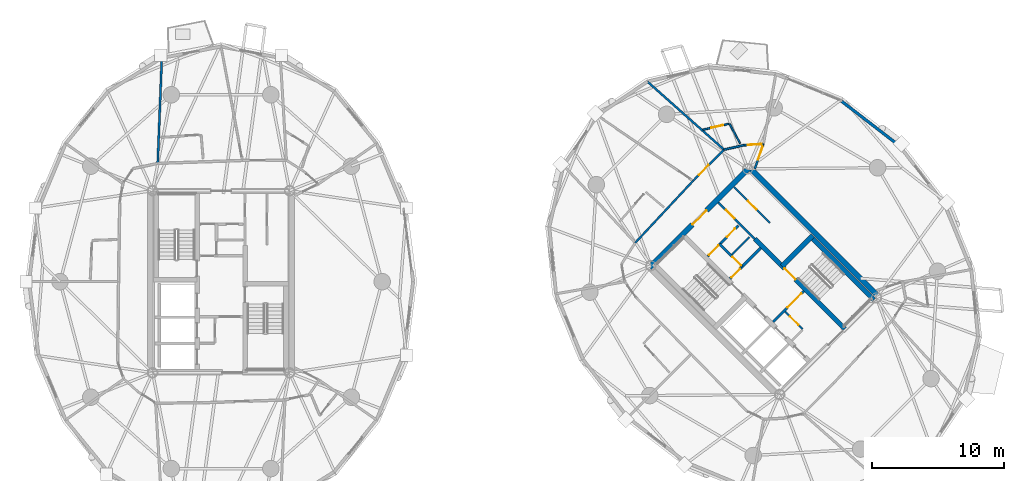
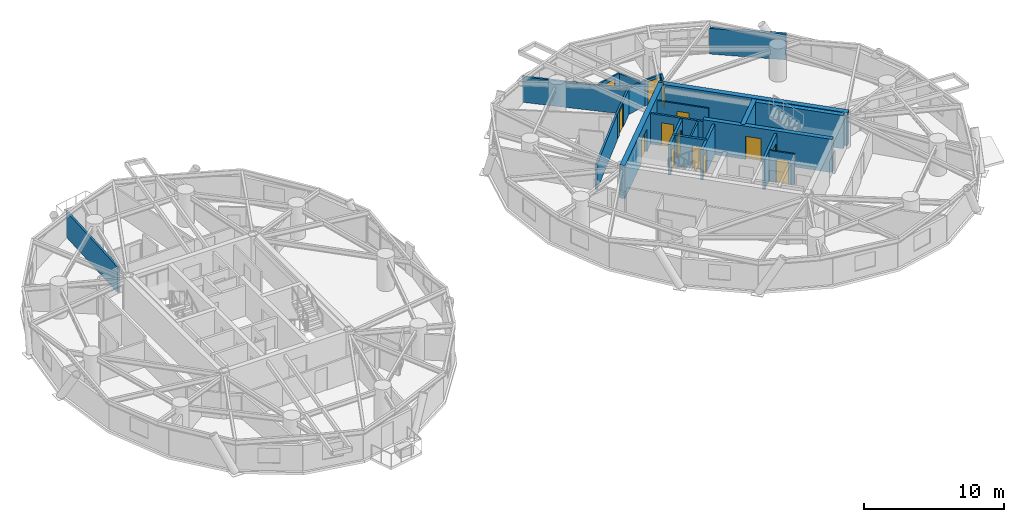
# One storey, part 14 of 19: 23 walls, 14 doors, 14 openings.
"""IFC4 building model written with IfcOpenShell, lengths in metres."""

from ifc_helpers import new_model, si_unit, direction, frame, frame_2d, origin, place, context, subcontext, project, spatial, rectangle, extrude, source, transform, mapped, material, layer, layer_set, type_object, element, fill, save


model = new_model("IFC4")

# Units and contexts
model_context = context("Model", 3, precision=1e-05, world=origin(), true_north=direction((0.0, 1.0)))
body_context = subcontext(model_context, "Body", "Model", "MODEL_VIEW")
ifc_project = project(units=[si_unit("LENGTHUNIT", "METRE"), si_unit("AREAUNIT", "SQUARE_METRE"), si_unit("VOLUMEUNIT", "CUBIC_METRE"), si_unit("PLANEANGLEUNIT", "RADIAN"), si_unit("MASSUNIT", "GRAM", prefix="KILO")], contexts=[model_context])

# Site, building, storey
site_placement = place(None, origin())
site = spatial("IfcSite", under=ifc_project, at=site_placement, CompositionType="ELEMENT")
building_placement = place(site_placement, origin())
building = spatial("IfcBuilding", under=site, at=building_placement, Name="Cununo Teusaquillo Station Towers", CompositionType="ELEMENT")
storey_placement = place(building_placement, frame((0.0, 0.0, 151.60009765625)))
storey = spatial("IfcBuildingStorey", under=building, at=storey_placement, Name="L47", CompositionType="ELEMENT", Elevation=151.60009765625)

# Wall, opening, door
ifc_material_1 = material(Name="Concrete C50/60", Category="concrete")
ifc_layer_1 = layer(ifc_material_1, 0.35009765625)
ifc_layer_set_1 = layer_set([ifc_layer_1], Name="Concrete C50/60")
wall_type_1 = type_object("IfcWallType", Name="WL-CORE-350", PredefinedType="SHEAR", material=ifc_layer_set_1)
wall_1_placement = place(storey_placement, frame((63.627197265625, 20.939697265625, 0.0), z_axis=(0.0, 0.0, 1.0), x_axis=(-0.707119496762, 0.707094065383, 0.0)))
wall_1 = element("IfcWall", 1, at=wall_1_placement, inside=storey, type_object=wall_type_1, Name="L47 Tower B Core Shear Wall IE", PredefinedType="SHEAR", context=body_context, shape_type="SweptSolid", body=[
    extrude(rectangle(XDim=9.60009765625, YDim=0.35009765625, at=frame_2d((4.800048828125, 0.0))), origin(), (0.0, 0.0, 1.0), 2.909912109375),
])
shared_shape_1 = source(origin(), body_context, "Body", "SweptSolid", [
    extrude(rectangle(XDim=1.14990234375, YDim=2.02001953125, at=frame_2d((0.574951171875, 1.010009765625))), frame((0.0, 0.18505859375, 0.0), z_axis=(0.0, -1.0, 0.0), x_axis=(1.0, 0.0, 0.0)), (0.0, 0.0, 1.0), 0.3701171875),
])
opening_1_placement = place(wall_1_placement, frame((5.280029296875, 0.0, 0.0)))
opening_1 = element("IfcOpeningElement", 2, at=opening_1_placement, cuts=wall_1, Name="Opening D-ST1", PredefinedType="OPENING", context=body_context, shape_type="MappedRepresentation", body=[
    mapped(shared_shape_1, transform((0.0, 0.0, 0.0), x_axis=(1.0, 0.0, 0.0), y_axis=(0.0, 1.0, 0.0), z_axis=(0.0, 0.0, 1.0), scale=1.0)),
])
ifc_material_2 = material(Name="Galvanised fire-rated hollow steel door assembly", Category="steel")
door_type_1 = type_object("IfcDoorType", Name="DR-STAIR-1150", OperationType="NOTDEFINED", PredefinedType="DOOR", material=ifc_material_2)
shared_shape_2 = source(origin(), body_context, "Body", "SweptSolid", [
    extrude(rectangle(XDim=1.14990234375, YDim=2.02001953125, at=frame_2d((0.574951171875, 1.010009765625))), frame((0.0, 0.02490234375, 0.0), z_axis=(0.0, -1.0, 0.0), x_axis=(1.0, 0.0, 0.0)), (0.0, 0.0, 1.0), 0.050048828125),
])
door_1_placement = place(opening_1_placement, origin())
door_1 = element("IfcDoor", 3, at=door_1_placement, inside=storey, type_object=door_type_1, Name="L47 Tower B Exit Stair 2 Fire Door", OperationType="SINGLE_SWING_LEFT", OverallHeight=2.02001953125, OverallWidth=1.14990234375, PredefinedType="DOOR", context=body_context, shape_type="MappedRepresentation", body=[
    mapped(shared_shape_2, transform((0.0, 0.0, 0.0), x_axis=(1.0, 0.0, 0.0), y_axis=(0.0, 1.0, 0.0), z_axis=(0.0, 0.0, 1.0), scale=1.0)),
])
fill(opening_1, door_1)

# Walls
wall_2_placement = place(storey_placement, frame((65.81201171875, 23.124755859375, 0.0), z_axis=(0.0, 0.0, 1.0), x_axis=(-0.707106781187, 0.707106781187, 0.0)))
element("IfcWall", 4, at=wall_2_placement, inside=storey, type_object=wall_type_1, Name="L47 Tower B Core Shear Wall ST2E", PredefinedType="SHEAR", context=body_context, shape_type="SweptSolid", body=[
    extrude(rectangle(XDim=6.695068359375, YDim=0.35009765625, at=frame_2d((3.34765625, 0.0))), origin(), (0.0, 0.0, 1.0), 2.909912109375),
])
wall_3_placement = place(storey_placement, frame((58.89306640625, 25.673828125, 0.0), z_axis=(0.0, 0.0, 1.0), x_axis=(0.707106781187, 0.707106781187, 0.0)))
element("IfcWall", 5, at=wall_3_placement, inside=storey, type_object=wall_type_1, Name="L47 Tower B Core Shear Wall ST2N", PredefinedType="SHEAR", context=body_context, shape_type="SweptSolid", body=[
    extrude(rectangle(XDim=3.284912109375, YDim=0.35009765625, at=frame_2d((1.642578125, 0.0))), origin(), (0.0, 0.0, 1.0), 2.909912109375),
])
ifc_material_3 = material(Name="Concrete C50/60", Category="concrete")
ifc_layer_2 = layer(ifc_material_3, 0.39990234375)
ifc_layer_set_2 = layer_set([ifc_layer_2], Name="Concrete C50/60")
wall_type_2 = type_object("IfcWallType", Name="WL-CORE-400", PredefinedType="SHEAR", material=ifc_layer_set_2)
wall_4_placement = place(storey_placement, frame((66.26806640625, 23.2978515625, 0.0), z_axis=(0.0, 0.0, 1.0), x_axis=(-0.707106781187, 0.707106781187, 0.0)))
element("IfcWall", 6, at=wall_4_placement, inside=storey, type_object=wall_type_2, Name="L47 Tower B Core Shear Wall E", PredefinedType="SHEAR", context=body_context, shape_type="SweptSolid", body=[
    extrude(rectangle(XDim=14.10009765625, YDim=0.39990234375, at=frame_2d((7.050048828125, 0.0))), origin(), (0.0, 0.0, 1.0), 2.909912109375),
])

# Wall, opening, door
wall_5_placement = place(storey_placement, frame((48.873291015625, 25.560791015625, 0.0), z_axis=(0.0, 0.0, 1.0), x_axis=(0.707106781187, 0.707106781187, 0.0)))
wall_5 = element("IfcWall", 7, at=wall_5_placement, inside=storey, type_object=wall_type_2, Name="L47 Tower B Core Shear Wall N", PredefinedType="SHEAR", context=body_context, shape_type="SweptSolid", body=[
    extrude(rectangle(XDim=10.69970703125, YDim=0.39990234375, at=frame_2d((5.349853515625, 0.0))), origin(), (0.0, 0.0, 1.0), 2.909912109375),
])
shared_shape_3 = source(origin(), body_context, "Body", "SweptSolid", [
    extrude(rectangle(XDim=1.5, YDim=2.02001953125, at=frame_2d((0.75, 1.010009765625))), frame((0.0, 0.2099609375, 0.0), z_axis=(0.0, -1.0, 0.0), x_axis=(1.0, 0.0, 0.0)), (0.0, 0.0, 1.0), 0.419921875),
])
opening_2_placement = place(wall_5_placement, frame((4.60009765625, 0.0, 0.0)))
opening_2 = element("IfcOpeningElement", 8, at=opening_2_placement, cuts=wall_5, Name="Opening D-LB1", PredefinedType="OPENING", context=body_context, shape_type="MappedRepresentation", body=[
    mapped(shared_shape_3, transform((0.0, 0.0, 0.0), x_axis=(1.0, 0.0, 0.0), y_axis=(0.0, 1.0, 0.0), z_axis=(0.0, 0.0, 1.0), scale=1.0)),
])
ifc_material_4 = material(Name="Galvanised fire-rated hollow steel door assembly", Category="steel")
door_type_2 = type_object("IfcDoorType", Name="DR-LOBBY-1500", OperationType="DOUBLE_DOOR_SINGLE_SWING", PredefinedType="DOOR", material=ifc_material_4)
shared_shape_4 = source(origin(), body_context, "Body", "SweptSolid", [
    extrude(rectangle(XDim=1.5, YDim=2.02001953125, at=frame_2d((0.75, 1.010009765625))), frame((0.0, 0.02490234375, 0.0), z_axis=(0.0, -1.0, 0.0), x_axis=(1.0, 0.0, 0.0)), (0.0, 0.0, 1.0), 0.050048828125),
])
door_2_placement = place(opening_2_placement, origin())
door_2 = element("IfcDoor", 9, at=door_2_placement, inside=storey, type_object=door_type_2, Name="L47 Tower B North Core Lift Lobby Door", OperationType="DOUBLE_DOOR_SINGLE_SWING", OverallHeight=2.02001953125, OverallWidth=1.5, PredefinedType="DOOR", context=body_context, shape_type="MappedRepresentation", body=[
    mapped(shared_shape_4, transform((0.0, 0.0, 0.0), x_axis=(1.0, 0.0, 0.0), y_axis=(0.0, 1.0, 0.0), z_axis=(0.0, 0.0, 1.0), scale=1.0)),
])
fill(opening_2, door_2)

# Wall
ifc_material_5 = material(Name="Precast concrete C40/50", Category="concrete")
ifc_layer_3 = layer(ifc_material_5, 0.219970703125)
ifc_layer_set_3 = layer_set([ifc_layer_3], Name="Precast concrete C40/50")
wall_type_3 = type_object("IfcWallType", Name="WL-EXT-220", PredefinedType="SOLIDWALL", material=ifc_layer_set_3)
wall_6_placement = place(storey_placement, frame((63.37841796875, 38.144287109375, 0.0), z_axis=(0.0, 0.0, 1.0), x_axis=(0.791982658323, -0.610543584779, 0.0)))
element("IfcWall", 10, at=wall_6_placement, inside=storey, type_object=wall_type_3, Name="L47 Tower B Exterior Facade Wall C00", PredefinedType="SOLIDWALL", context=body_context, shape_type="SweptSolid", body=[
    extrude(rectangle(XDim=5.537109375, YDim=0.219970703125, at=frame_2d((2.7685546875, 0.0))), origin(), (0.0, 0.0, 1.0), 2.244873046875),
])

# Wall, opening, door
ifc_material_6 = material(Name="Fire-rated gypsum plasterboard partition assembly", Category="gypsum")
ifc_layer_4 = layer(ifc_material_6, 0.125)
ifc_layer_set_4 = layer_set([ifc_layer_4], Name="Fire-rated gypsum plasterboard partition assembly")
wall_type_4 = type_object("IfcWallType", Name="WL-PART-125", PredefinedType="PARTITIONING", material=ifc_layer_set_4)
wall_7_placement = place(storey_placement, frame((60.448486328125, 20.9150390625, 0.0), z_axis=(0.0, 0.0, 1.0), x_axis=(-0.707106781187, 0.707106781187, 0.0)))
wall_7 = element("IfcWall", 11, at=wall_7_placement, inside=storey, type_object=wall_type_4, Name="L47 Tower B North-West Lobby Store East Wall", PredefinedType="PARTITIONING", context=body_context, shape_type="SweptSolid", body=[
    extrude(rectangle(XDim=1.869873046875, YDim=0.125, at=frame_2d((0.93505859375, 0.0))), origin(), (0.0, 0.0, 1.0), 2.6748046875),
])
shared_shape_5 = source(origin(), body_context, "Body", "SweptSolid", [
    extrude(rectangle(XDim=0.89990234375, YDim=2.0048828125, at=frame_2d((0.449951171875, 1.00244140625))), frame((0.0, 0.072509765625, 0.0), z_axis=(0.0, -1.0, 0.0), x_axis=(1.0, 0.0, 0.0)), (0.0, 0.0, 1.0), 0.14501953125),
])
opening_3_placement = place(wall_7_placement, frame((0.449951171875, 0.0, 0.0)))
opening_3 = element("IfcOpeningElement", 12, at=opening_3_placement, cuts=wall_7, Name="Opening D-SR1", PredefinedType="OPENING", context=body_context, shape_type="MappedRepresentation", body=[
    mapped(shared_shape_5, transform((0.0, 0.0, 0.0), x_axis=(1.0, 0.0, 0.0), y_axis=(0.0, 1.0, 0.0), z_axis=(0.0, 0.0, 1.0), scale=1.0)),
])
ifc_material_7 = material(Name="Galvanised fire-rated hollow steel door assembly", Category="steel")
door_type_3 = type_object("IfcDoorType", Name="DR-STORE-900", OperationType="NOTDEFINED", PredefinedType="DOOR", material=ifc_material_7)
shared_shape_6 = source(origin(), body_context, "Body", "SweptSolid", [
    extrude(rectangle(XDim=0.89990234375, YDim=2.0048828125, at=frame_2d((0.449951171875, 1.00244140625))), frame((0.0, 0.02490234375, 0.0), z_axis=(0.0, -1.0, 0.0), x_axis=(1.0, 0.0, 0.0)), (0.0, 0.0, 1.0), 0.050048828125),
])
door_3_placement = place(opening_3_placement, origin())
door_3 = element("IfcDoor", 13, at=door_3_placement, inside=storey, type_object=door_type_3, Name="L47 Tower B South Lobby Data Store Door", OperationType="SINGLE_SWING_RIGHT", OverallHeight=2.0048828125, OverallWidth=0.89990234375, PredefinedType="DOOR", context=body_context, shape_type="MappedRepresentation", body=[
    mapped(shared_shape_6, transform((0.0, 0.0, 0.0), x_axis=(1.0, 0.0, 0.0), y_axis=(0.0, 1.0, 0.0), z_axis=(0.0, 0.0, 1.0), scale=1.0)),
])
fill(opening_3, door_3)

# Wall
wall_8_placement = place(storey_placement, frame((55.0888671875, 26.54345703125, 0.0), z_axis=(0.0, 0.0, 1.0), x_axis=(0.707106781187, 0.707106781187, 0.0)))
element("IfcWall", 14, at=wall_8_placement, inside=storey, type_object=wall_type_4, Name="L47 Tower B Core Horizontal Split Wall", PredefinedType="PARTITIONING", context=body_context, shape_type="SweptSolid", body=[
    extrude(rectangle(XDim=1.8798828125, YDim=0.125, at=frame_2d((0.93994140625, 0.0))), origin(), (0.0, 0.0, 1.0), 2.6748046875),
])

# Wall, opening, door
wall_9_placement = place(storey_placement, frame((57.980712890625, 28.940673828125, 0.0), z_axis=(0.0, 0.0, 1.0), x_axis=(-0.707074823725, 0.707138737204, 0.0)))
wall_9 = element("IfcWall", 15, at=wall_9_placement, inside=storey, type_object=wall_type_4, Name="L47 Tower B Reclaimed Bay Vertical Split Wall", PredefinedType="PARTITIONING", context=body_context, shape_type="SweptSolid", body=[
    extrude(rectangle(XDim=3.81982421875, YDim=0.125, at=frame_2d((1.909912109375, 0.0))), origin(), (0.0, 0.0, 1.0), 2.6748046875),
])
opening_4_placement = place(wall_9_placement, frame((1.449951171875, 0.0, 0.0)))
opening_4 = element("IfcOpeningElement", 16, at=opening_4_placement, cuts=wall_9, Name="Opening D-IN1", PredefinedType="OPENING", context=body_context, shape_type="MappedRepresentation", body=[
    mapped(shared_shape_5, transform((0.0, 0.0, 0.0), x_axis=(1.0, 0.0, 0.0), y_axis=(0.0, 1.0, 0.0), z_axis=(0.0, 0.0, 1.0), scale=1.0)),
])
ifc_material_8 = material(Name="Acoustic solid-core hardwood leaf assembly", Category="wood")
door_type_4 = type_object("IfcDoorType", Name="DR-INT-900", OperationType="NOTDEFINED", PredefinedType="DOOR", material=ifc_material_8)
door_4_placement = place(opening_4_placement, origin())
door_4 = element("IfcDoor", 17, at=door_4_placement, inside=storey, type_object=door_type_4, Name="L47 Tower B Reclaimed Acoustic Booth Door", OperationType="SINGLE_SWING_RIGHT", OverallHeight=2.0048828125, OverallWidth=0.89990234375, PredefinedType="DOOR", context=body_context, shape_type="MappedRepresentation", body=[
    mapped(shared_shape_6, transform((0.0, 0.0, 0.0), x_axis=(1.0, 0.0, 0.0), y_axis=(0.0, 1.0, 0.0), z_axis=(0.0, 0.0, 1.0), scale=1.0)),
])
fill(opening_4, door_4)

# Wall
wall_10_placement = place(storey_placement, frame((55.722412109375, 34.94384765625, 0.0), z_axis=(0.0, 0.0, 1.0), x_axis=(-0.473482169178, 0.880803403417, 0.0)))
element("IfcWall", 18, at=wall_10_placement, inside=storey, type_object=wall_type_4, Name="L47 Tower B S01 En-suite Side Wall", PredefinedType="PARTITIONING", context=body_context, shape_type="SweptSolid", body=[
    extrude(rectangle(XDim=1.697509765625, YDim=0.125, at=frame_2d((0.8486328125, 0.0))), origin(), (0.0, 0.0, 1.0), 2.244873046875),
])

# Wall, opening, door
wall_11_placement = place(storey_placement, frame((54.85791015625, 36.425048828125, 0.0), z_axis=(0.0, 0.0, 1.0), x_axis=(-0.975061820415, -0.221933427785, 0.0)))
wall_11 = element("IfcWall", 19, at=wall_11_placement, inside=storey, type_object=wall_type_4, Name="L47 Tower B S01 En-suite Back Wall", PredefinedType="PARTITIONING", context=body_context, shape_type="SweptSolid", body=[
    extrude(rectangle(XDim=1.993408203125, YDim=0.125, at=frame_2d((0.99658203125, 0.0))), origin(), (0.0, 0.0, 1.0), 2.31201171875),
])
opening_5_placement = place(wall_11_placement, frame((0.43994140625, 0.0, 0.0)))
opening_5 = element("IfcOpeningElement", 20, at=opening_5_placement, cuts=wall_11, Name="Opening D-IN1", PredefinedType="OPENING", context=body_context, shape_type="MappedRepresentation", body=[
    mapped(shared_shape_5, transform((0.0, 0.0, 0.0), x_axis=(1.0, 0.0, 0.0), y_axis=(0.0, 1.0, 0.0), z_axis=(0.0, 0.0, 1.0), scale=1.0)),
])
door_5_placement = place(opening_5_placement, origin())
door_5 = element("IfcDoor", 21, at=door_5_placement, inside=storey, type_object=door_type_4, Name="L47 Tower B S01 En-suite Bathroom Door", OperationType="SINGLE_SWING_RIGHT", OverallHeight=2.0048828125, OverallWidth=0.89990234375, PredefinedType="DOOR", context=body_context, shape_type="MappedRepresentation", body=[
    mapped(shared_shape_6, transform((0.0, 0.0, 0.0), x_axis=(1.0, 0.0, 0.0), y_axis=(0.0, 1.0, 0.0), z_axis=(0.0, 0.0, 1.0), scale=1.0)),
])
fill(opening_5, door_5)

ifc_material_9 = material(Name="Fire-rated gypsum plasterboard partition assembly", Category="gypsum")
ifc_layer_5 = layer(ifc_material_9, 0.14990234375)
ifc_layer_set_5 = layer_set([ifc_layer_5], Name="Fire-rated gypsum plasterboard partition assembly")
wall_type_5 = type_object("IfcWallType", Name="WL-PART-150", PredefinedType="PARTITIONING", material=ifc_layer_set_5)
wall_12_placement = place(storey_placement, frame((57.48193359375, 34.899169921875, 0.0), z_axis=(0.0, 0.0, 1.0), x_axis=(-0.998466026722, -0.055367801852, 0.0)))
wall_12 = element("IfcWall", 22, at=wall_12_placement, inside=storey, type_object=wall_type_5, Name="L47 Tower B Corridor Ring Wall C02", PredefinedType="PARTITIONING", context=body_context, shape_type="SweptSolid", body=[
    extrude(rectangle(XDim=1.455078125, YDim=0.14990234375, at=frame_2d((0.7275390625, 0.0))), origin(), (0.0, 0.0, 1.0), 2.244873046875),
])
shared_shape_7 = source(origin(), body_context, "Body", "SweptSolid", [
    extrude(rectangle(XDim=1.050048828125, YDim=2.014892578125, at=frame_2d((0.52490234375, 1.00732421875))), frame((0.0, 0.0849609375, 0.0), z_axis=(0.0, -1.0, 0.0), x_axis=(1.0, 0.0, 0.0)), (0.0, 0.0, 1.0), 0.169921875),
])
opening_6_placement = place(wall_12_placement, frame((0.1201171875, 0.0, 0.0)))
opening_6 = element("IfcOpeningElement", 23, at=opening_6_placement, cuts=wall_12, Name="Opening D-SU1", PredefinedType="OPENING", context=body_context, shape_type="MappedRepresentation", body=[
    mapped(shared_shape_7, transform((0.0, 0.0, 0.0), x_axis=(1.0, 0.0, 0.0), y_axis=(0.0, 1.0, 0.0), z_axis=(0.0, 0.0, 1.0), scale=1.0)),
])
ifc_material_10 = material(Name="Acoustic solid-core hardwood leaf assembly", Category="wood")
door_type_5 = type_object("IfcDoorType", Name="DR-SUITE-1050", OperationType="NOTDEFINED", PredefinedType="DOOR", material=ifc_material_10)
shared_shape_8 = source(origin(), body_context, "Body", "SweptSolid", [
    extrude(rectangle(XDim=1.050048828125, YDim=2.014892578125, at=frame_2d((0.52490234375, 1.00732421875))), frame((0.0, 0.02490234375, 0.0), z_axis=(0.0, -1.0, 0.0), x_axis=(1.0, 0.0, 0.0)), (0.0, 0.0, 1.0), 0.050048828125),
])
door_6_placement = place(opening_6_placement, origin())
door_6 = element("IfcDoor", 24, at=door_6_placement, inside=storey, type_object=door_type_5, Name="L47 Tower B Grand Panorama Hotel Suite Entrance Door", OperationType="SINGLE_SWING_LEFT", OverallHeight=2.014892578125, OverallWidth=1.050048828125, PredefinedType="DOOR", context=body_context, shape_type="MappedRepresentation", body=[
    mapped(shared_shape_8, transform((0.0, 0.0, 0.0), x_axis=(1.0, 0.0, 0.0), y_axis=(0.0, 1.0, 0.0), z_axis=(0.0, 0.0, 1.0), scale=1.0)),
])
fill(opening_6, door_6)

# Wall
wall_13_placement = place(storey_placement, frame((56.029052734375, 34.818603515625, 0.0), z_axis=(0.0, 0.0, 1.0), x_axis=(-0.976117289068, -0.217244189754, 0.0)))
element("IfcWall", 25, at=wall_13_placement, inside=storey, type_object=wall_type_5, Name="L47 Tower B Corridor Ring Wall C03", PredefinedType="PARTITIONING", context=body_context, shape_type="SweptSolid", body=[
    extrude(rectangle(XDim=1.5654296875, YDim=0.14990234375, at=frame_2d((0.78271484375, 0.0))), origin(), (0.0, 0.0, 1.0), 2.244873046875),
])

# Wall, opening, door
wall_14_placement = place(storey_placement, frame((54.5009765625, 34.478515625, 0.0), z_axis=(0.0, 0.0, 1.0), x_axis=(-0.70346073929, -0.710734119258, 0.0)))
wall_14 = element("IfcWall", 26, at=wall_14_placement, inside=storey, type_object=wall_type_5, Name="L47 Tower B Corridor Ring Wall C04", PredefinedType="PARTITIONING", context=body_context, shape_type="SweptSolid", body=[
    extrude(rectangle(XDim=3.322998046875, YDim=0.14990234375, at=frame_2d((1.66162109375, 0.0))), origin(), (0.0, 0.0, 1.0), 2.244873046875),
])
opening_7_placement = place(wall_14_placement, frame((1.644775390625, 0.0, 0.0)))
opening_7 = element("IfcOpeningElement", 27, at=opening_7_placement, cuts=wall_14, Name="Opening D-SU1", PredefinedType="OPENING", context=body_context, shape_type="MappedRepresentation", body=[
    mapped(shared_shape_7, transform((0.0, 0.0, 0.0), x_axis=(1.0, 0.0, 0.0), y_axis=(0.0, 1.0, 0.0), z_axis=(0.0, 0.0, 1.0), scale=1.0)),
])
door_7_placement = place(opening_7_placement, origin())
door_7 = element("IfcDoor", 28, at=door_7_placement, inside=storey, type_object=door_type_5, Name="L47 Tower B Cloud-Forest Hotel Suite Entrance Door", OperationType="SINGLE_SWING_LEFT", OverallHeight=2.014892578125, OverallWidth=1.050048828125, PredefinedType="DOOR", context=body_context, shape_type="MappedRepresentation", body=[
    mapped(shared_shape_8, transform((0.0, 0.0, 0.0), x_axis=(1.0, 0.0, 0.0), y_axis=(0.0, 1.0, 0.0), z_axis=(0.0, 0.0, 1.0), scale=1.0)),
])
fill(opening_7, door_7)

# Walls
wall_15_placement = place(storey_placement, frame((52.163330078125, 32.11669921875, 0.0), z_axis=(0.0, 0.0, 1.0), x_axis=(-0.682485296115, -0.730899323154, 0.0)))
element("IfcWall", 29, at=wall_15_placement, inside=storey, type_object=wall_type_5, Name="L47 Tower B Corridor Ring Wall C05", PredefinedType="PARTITIONING", context=body_context, shape_type="SweptSolid", body=[
    extrude(rectangle(XDim=6.404296875, YDim=0.14990234375, at=frame_2d((3.2021484375, 0.0))), origin(), (0.0, 0.0, 1.0), 2.244873046875),
])
ifc_material_11 = material(Name="Fire-rated gypsum plasterboard partition assembly", Category="gypsum")
ifc_layer_6 = layer(ifc_material_11, 0.159912109375)
ifc_layer_set_6 = layer_set([ifc_layer_6], Name="Fire-rated gypsum plasterboard partition assembly")
wall_type_6 = type_object("IfcWallType", Name="WL-PART-160", PredefinedType="PARTITIONING", material=ifc_layer_set_6)
wall_16_placement = place(storey_placement, frame((11.711669921875, 33.440185546875, 0.0), z_axis=(0.0, 0.0, 1.0), x_axis=(0.038892064024, 0.999243417469, 0.0)))
element("IfcWall", 30, at=wall_16_placement, inside=storey, type_object=wall_type_6, Name="L47 Tower A Radial Suite Partition R03", PredefinedType="PARTITIONING", context=body_context, shape_type="SweptSolid", body=[
    extrude(rectangle(XDim=7.947265625, YDim=0.159912109375, at=frame_2d((3.9736328125, 0.0))), origin(), (0.0, 0.0, 1.0), 2.244873046875),
])

# Wall, opening, door
wall_17_placement = place(storey_placement, frame((56.8388671875, 27.727783203125, 0.0), z_axis=(0.0, 0.0, 1.0), x_axis=(-0.707106781187, 0.707106781187, 0.0)))
wall_17 = element("IfcWall", 31, at=wall_17_placement, inside=storey, type_object=wall_type_6, Name="L47 Tower B Reclaimed Core Bay Entry Wall", PredefinedType="PARTITIONING", context=body_context, shape_type="SweptSolid", body=[
    extrude(rectangle(XDim=3.900146484375, YDim=0.159912109375, at=frame_2d((1.9501953125, 0.0))), origin(), (0.0, 0.0, 1.0), 2.6748046875),
])
shared_shape_9 = source(origin(), body_context, "Body", "SweptSolid", [
    extrude(rectangle(XDim=0.89990234375, YDim=2.0048828125, at=frame_2d((0.449951171875, 1.00244140625))), frame((0.0, 0.08984375, 0.0), z_axis=(0.0, -1.0, 0.0), x_axis=(1.0, 0.0, 0.0)), (0.0, 0.0, 1.0), 0.179931640625),
])
opening_8_placement = place(wall_17_placement, frame((2.199951171875, 0.0, 0.0)))
opening_8 = element("IfcOpeningElement", 32, at=opening_8_placement, cuts=wall_17, Name="Opening D-IN1", PredefinedType="OPENING", context=body_context, shape_type="MappedRepresentation", body=[
    mapped(shared_shape_9, transform((0.0, 0.0, 0.0), x_axis=(1.0, 0.0, 0.0), y_axis=(0.0, 1.0, 0.0), z_axis=(0.0, 0.0, 1.0), scale=1.0)),
])
door_8_placement = place(opening_8_placement, origin())
door_8 = element("IfcDoor", 33, at=door_8_placement, inside=storey, type_object=door_type_4, Name="L47 Tower B Reclaimed Meeting Room Door", OperationType="SINGLE_SWING_LEFT", OverallHeight=2.0048828125, OverallWidth=0.89990234375, PredefinedType="DOOR", context=body_context, shape_type="MappedRepresentation", body=[
    mapped(shared_shape_6, transform((0.0, 0.0, 0.0), x_axis=(1.0, 0.0, 0.0), y_axis=(0.0, 1.0, 0.0), z_axis=(0.0, 0.0, 1.0), scale=1.0)),
])
fill(opening_8, door_8)

# Wall
wall_18_placement = place(storey_placement, frame((54.5009765625, 34.478515625, 0.0), z_axis=(0.0, 0.0, 1.0), x_axis=(-0.747641382601, 0.66410267506, 0.0)))
element("IfcWall", 34, at=wall_18_placement, inside=storey, type_object=wall_type_6, Name="L47 Tower B Radial Suite Partition R02", PredefinedType="PARTITIONING", context=body_context, shape_type="SweptSolid", body=[
    extrude(rectangle(XDim=7.71826171875, YDim=0.159912109375, at=frame_2d((3.859130859375, 0.0))), origin(), (0.0, 0.0, 1.0), 2.244873046875),
])

# Wall, opening, door
wall_19_placement = place(storey_placement, frame((56.828125, 33.0205078125, 0.0), z_axis=(0.0, 0.0, 1.0), x_axis=(0.328682472103, 0.944440486496, 0.0)))
wall_19 = element("IfcWall", 35, at=wall_19_placement, inside=storey, type_object=wall_type_6, Name="L47 Tower B East Salon Corridor Portal Wall NE", PredefinedType="PARTITIONING", context=body_context, shape_type="SweptSolid", body=[
    extrude(rectangle(XDim=1.9892578125, YDim=0.159912109375, at=frame_2d((0.99462890625, 0.0))), origin(), (0.0, 0.0, 1.0), 2.244873046875),
])
shared_shape_10 = source(origin(), body_context, "Body", "SweptSolid", [
    extrude(rectangle(XDim=1.050048828125, YDim=2.014892578125, at=frame_2d((0.52490234375, 1.00732421875))), frame((0.0, 0.08984375, 0.0), z_axis=(0.0, -1.0, 0.0), x_axis=(1.0, 0.0, 0.0)), (0.0, 0.0, 1.0), 0.179931640625),
])
opening_9_placement = place(wall_19_placement, frame((0.739013671875, 0.0, 0.0)))
opening_9 = element("IfcOpeningElement", 36, at=opening_9_placement, cuts=wall_19, Name="Opening D-SU1", PredefinedType="OPENING", context=body_context, shape_type="MappedRepresentation", body=[
    mapped(shared_shape_10, transform((0.0, 0.0, 0.0), x_axis=(1.0, 0.0, 0.0), y_axis=(0.0, 1.0, 0.0), z_axis=(0.0, 0.0, 1.0), scale=1.0)),
])
door_9_placement = place(opening_9_placement, origin())
door_9 = element("IfcDoor", 37, at=door_9_placement, inside=storey, type_object=door_type_5, Name="L47 Tower B East Panorama Sky Salon Door NE", OperationType="SINGLE_SWING_LEFT", OverallHeight=2.014892578125, OverallWidth=1.050048828125, PredefinedType="DOOR", context=body_context, shape_type="MappedRepresentation", body=[
    mapped(shared_shape_8, transform((0.0, 0.0, 0.0), x_axis=(1.0, 0.0, 0.0), y_axis=(0.0, 1.0, 0.0), z_axis=(0.0, 0.0, 1.0), scale=1.0)),
])
fill(opening_9, door_9)

ifc_material_12 = material(Name="Fire-rated gypsum plasterboard partition assembly", Category="gypsum")
ifc_layer_7 = layer(ifc_material_12, 0.199951171875)
ifc_layer_set_7 = layer_set([ifc_layer_7], Name="Fire-rated gypsum plasterboard partition assembly")
wall_type_7 = type_object("IfcWallType", Name="WL-PART-200", PredefinedType="PARTITIONING", material=ifc_layer_set_7)
wall_20_placement = place(storey_placement, frame((58.214111328125, 21.466552734375, 0.0), z_axis=(0.0, 0.0, 1.0), x_axis=(0.707106781187, 0.707106781187, 0.0)))
wall_20 = element("IfcWall", 38, at=wall_20_placement, inside=storey, type_object=wall_type_7, Name="L47 Tower B Firefighting Lift Lobby South Fire Wall", PredefinedType="PARTITIONING", context=body_context, shape_type="SweptSolid", body=[
    extrude(rectangle(XDim=3.280029296875, YDim=0.199951171875, at=frame_2d((1.64013671875, 0.0))), origin(), (0.0, 0.0, 1.0), 2.6748046875),
])
shared_shape_11 = source(origin(), body_context, "Body", "SweptSolid", [
    extrude(rectangle(XDim=1.5, YDim=2.02001953125, at=frame_2d((0.75, 1.010009765625))), frame((0.0, 0.10986328125, 0.0), z_axis=(0.0, -1.0, 0.0), x_axis=(1.0, 0.0, 0.0)), (0.0, 0.0, 1.0), 0.219970703125),
])
opening_10_placement = place(wall_20_placement, frame((1.550048828125, 0.0, 0.0)))
opening_10 = element("IfcOpeningElement", 39, at=opening_10_placement, cuts=wall_20, Name="Opening D-LB1", PredefinedType="OPENING", context=body_context, shape_type="MappedRepresentation", body=[
    mapped(shared_shape_11, transform((0.0, 0.0, 0.0), x_axis=(1.0, 0.0, 0.0), y_axis=(0.0, 1.0, 0.0), z_axis=(0.0, 0.0, 1.0), scale=1.0)),
])
door_10_placement = place(opening_10_placement, origin())
door_10 = element("IfcDoor", 40, at=door_10_placement, inside=storey, type_object=door_type_2, Name="L47 Tower B Firefighting Lift Lobby South Fire Door", OperationType="DOUBLE_DOOR_SINGLE_SWING", OverallHeight=2.02001953125, OverallWidth=1.5, PredefinedType="DOOR", context=body_context, shape_type="MappedRepresentation", body=[
    mapped(shared_shape_4, transform((0.0, 0.0, 0.0), x_axis=(1.0, 0.0, 0.0), y_axis=(0.0, 1.0, 0.0), z_axis=(0.0, 0.0, 1.0), scale=1.0)),
])
fill(opening_10, door_10)

wall_21_placement = place(storey_placement, frame((54.96142578125, 24.71923828125, 0.0), z_axis=(0.0, 0.0, 1.0), x_axis=(0.707106781187, 0.707106781187, 0.0)))
wall_21 = element("IfcWall", 41, at=wall_21_placement, inside=storey, type_object=wall_type_7, Name="L47 Tower B Firefighting Lift Lobby North Fire Wall", PredefinedType="PARTITIONING", context=body_context, shape_type="SweptSolid", body=[
    extrude(rectangle(XDim=3.280029296875, YDim=0.199951171875, at=frame_2d((1.64013671875, 0.0))), origin(), (0.0, 0.0, 1.0), 2.6748046875),
])
shared_shape_12 = source(origin(), body_context, "Body", "SweptSolid", [
    extrude(rectangle(XDim=0.89990234375, YDim=2.0048828125, at=frame_2d((0.449951171875, 1.00244140625))), frame((0.0, 0.10986328125, 0.0), z_axis=(0.0, -1.0, 0.0), x_axis=(1.0, 0.0, 0.0)), (0.0, 0.0, 1.0), 0.219970703125),
])
opening_11_placement = place(wall_21_placement, frame((0.159912109375, 0.0, 0.0)))
opening_11 = element("IfcOpeningElement", 42, at=opening_11_placement, cuts=wall_21, Name="Opening D-SR1", PredefinedType="OPENING", context=body_context, shape_type="MappedRepresentation", body=[
    mapped(shared_shape_12, transform((0.0, 0.0, 0.0), x_axis=(1.0, 0.0, 0.0), y_axis=(0.0, 1.0, 0.0), z_axis=(0.0, 0.0, 1.0), scale=1.0)),
])
door_11_placement = place(opening_11_placement, origin())
door_11 = element("IfcDoor", 43, at=door_11_placement, inside=storey, type_object=door_type_3, Name="L47 Tower B Stair 1 Protected Vestibule South Door", OperationType="SINGLE_SWING_RIGHT", OverallHeight=2.0048828125, OverallWidth=0.89990234375, PredefinedType="DOOR", context=body_context, shape_type="MappedRepresentation", body=[
    mapped(shared_shape_6, transform((0.0, 0.0, 0.0), x_axis=(1.0, 0.0, 0.0), y_axis=(0.0, 1.0, 0.0), z_axis=(0.0, 0.0, 1.0), scale=1.0)),
])
fill(opening_11, door_11)

wall_22_placement = place(storey_placement, frame((55.873779296875, 25.63134765625, 0.0), z_axis=(0.0, 0.0, 1.0), x_axis=(-0.707157639372, 0.707055919343, 0.0)))
wall_22 = element("IfcWall", 44, at=wall_22_placement, inside=storey, type_object=wall_type_7, Name="L47 Tower B Stair 1 Vestibule Partition Wall", PredefinedType="PARTITIONING", context=body_context, shape_type="SweptSolid", body=[
    extrude(rectangle(XDim=2.400146484375, YDim=0.199951171875, at=frame_2d((1.2001953125, 0.0))), origin(), (0.0, 0.0, 1.0), 2.6748046875),
])
opening_12_placement = place(wall_22_placement, frame((0.139892578125, 0.0, 0.0)))
opening_12 = element("IfcOpeningElement", 45, at=opening_12_placement, cuts=wall_22, Name="Opening D-SR1", PredefinedType="OPENING", context=body_context, shape_type="MappedRepresentation", body=[
    mapped(shared_shape_12, transform((0.0, 0.0, 0.0), x_axis=(1.0, 0.0, 0.0), y_axis=(0.0, 1.0, 0.0), z_axis=(0.0, 0.0, 1.0), scale=1.0)),
])
door_12_placement = place(opening_12_placement, origin())
door_12 = element("IfcDoor", 46, at=door_12_placement, inside=storey, type_object=door_type_3, Name="L47 Tower B Core Linen Store Door", OperationType="SINGLE_SWING_LEFT", OverallHeight=2.0048828125, OverallWidth=0.89990234375, PredefinedType="DOOR", context=body_context, shape_type="MappedRepresentation", body=[
    mapped(shared_shape_6, transform((0.0, 0.0, 0.0), x_axis=(1.0, 0.0, 0.0), y_axis=(0.0, 1.0, 0.0), z_axis=(0.0, 0.0, 1.0), scale=1.0)),
])
fill(opening_12, door_12)

# Wall, openings, doors
wall_23_placement = place(storey_placement, frame((53.264404296875, 26.416259765625, 0.0), z_axis=(0.0, 0.0, 1.0), x_axis=(0.707106781187, 0.707106781187, 0.0)))
wall_23 = element("IfcWall", 47, at=wall_23_placement, inside=storey, type_object=wall_type_7, Name="L47 Tower B North Lift Lobby South Fire Wall", PredefinedType="PARTITIONING", context=body_context, shape_type="SweptSolid", body=[
    extrude(rectangle(XDim=3.280029296875, YDim=0.199951171875, at=frame_2d((1.64013671875, 0.0))), origin(), (0.0, 0.0, 1.0), 2.6748046875),
])
shared_shape_13 = source(origin(), body_context, "Body", "SweptSolid", [
    extrude(rectangle(XDim=1.0, YDim=2.014892578125, at=frame_2d((0.5, 1.00732421875))), frame((0.0, 0.10986328125, 0.0), z_axis=(0.0, -1.0, 0.0), x_axis=(1.0, 0.0, 0.0)), (0.0, 0.0, 1.0), 0.219970703125),
])
opening_13_placement = place(wall_23_placement, frame((0.139892578125, 0.0, 0.0)))
opening_13 = element("IfcOpeningElement", 48, at=opening_13_placement, cuts=wall_23, Name="Opening D-AC1", PredefinedType="OPENING", context=body_context, shape_type="MappedRepresentation", body=[
    mapped(shared_shape_13, transform((0.0, 0.0, 0.0), x_axis=(1.0, 0.0, 0.0), y_axis=(0.0, 1.0, 0.0), z_axis=(0.0, 0.0, 1.0), scale=1.0)),
])
opening_14_placement = place(wall_23_placement, frame((2.050048828125, 0.0, 0.0)))
opening_14 = element("IfcOpeningElement", 49, at=opening_14_placement, cuts=wall_23, Name="Opening D-SR1", PredefinedType="OPENING", context=body_context, shape_type="MappedRepresentation", body=[
    mapped(shared_shape_12, transform((0.0, 0.0, 0.0), x_axis=(1.0, 0.0, 0.0), y_axis=(0.0, 1.0, 0.0), z_axis=(0.0, 0.0, 1.0), scale=1.0)),
])
door_13_placement = place(opening_14_placement, origin())
door_13 = element("IfcDoor", 50, at=door_13_placement, inside=storey, type_object=door_type_3, Name="L47 Tower B Core Comms Room Door", OperationType="SINGLE_SWING_RIGHT", OverallHeight=2.0048828125, OverallWidth=0.89990234375, PredefinedType="DOOR", context=body_context, shape_type="MappedRepresentation", body=[
    mapped(shared_shape_6, transform((0.0, 0.0, 0.0), x_axis=(1.0, 0.0, 0.0), y_axis=(0.0, 1.0, 0.0), z_axis=(0.0, 0.0, 1.0), scale=1.0)),
])
fill(opening_14, door_13)
ifc_material_13 = material(Name="Acoustic solid-core hardwood leaf assembly", Category="wood")
door_type_6 = type_object("IfcDoorType", Name="DR-ACC-1000", OperationType="NOTDEFINED", PredefinedType="DOOR", material=ifc_material_13)
shared_shape_14 = source(origin(), body_context, "Body", "SweptSolid", [
    extrude(rectangle(XDim=1.0, YDim=2.014892578125, at=frame_2d((0.5, 1.00732421875))), frame((0.0, 0.02490234375, 0.0), z_axis=(0.0, -1.0, 0.0), x_axis=(1.0, 0.0, 0.0)), (0.0, 0.0, 1.0), 0.050048828125),
])
door_14_placement = place(opening_13_placement, origin())
door_14 = element("IfcDoor", 51, at=door_14_placement, inside=storey, type_object=door_type_6, Name="L47 Tower B North Lift Lobby to Stair 1 Vestibule Door", OperationType="SINGLE_SWING_LEFT", OverallHeight=2.014892578125, OverallWidth=1.0, PredefinedType="DOOR", context=body_context, shape_type="MappedRepresentation", body=[
    mapped(shared_shape_14, transform((0.0, 0.0, 0.0), x_axis=(1.0, 0.0, 0.0), y_axis=(0.0, 1.0, 0.0), z_axis=(0.0, 0.0, 1.0), scale=1.0)),
])
fill(opening_13, door_14)

save(model, "model.ifc")
